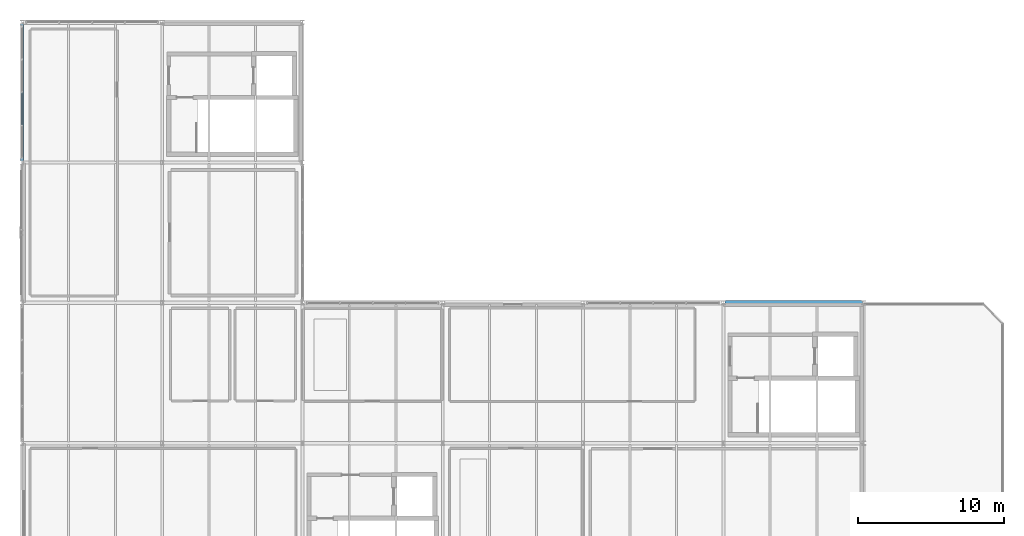
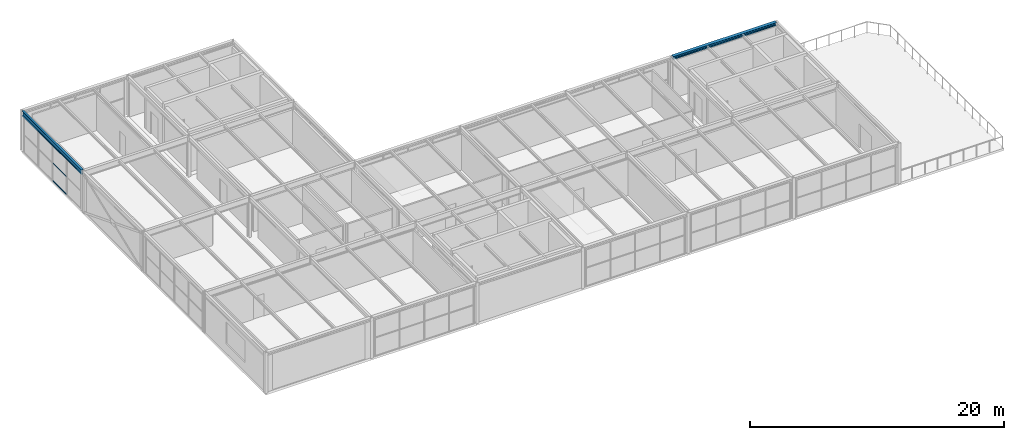
# One storey, part 25 of 33: 3 members, 2 beams, 1 element without a shape of its own.
"""IFC4 building model written with IfcOpenShell, lengths in metres."""

from ifc_helpers import new_model, si_unit, direction, frame, origin, origin_2d, place, context, subcontext, project, spatial, hollow_rectangle, i_section, extrude, material, material_profile, profile_set, type_object, element, aggregate, save


model = new_model("IFC4")

# Units and contexts
model_context = context("Model", 3, precision=1e-05, world=origin(), true_north=direction((0.0, 1.0)))
body_context = subcontext(model_context, "Body", "Model", "MODEL_VIEW")
ifc_project = project(units=[si_unit("LENGTHUNIT", "METRE"), si_unit("AREAUNIT", "SQUARE_METRE"), si_unit("VOLUMEUNIT", "CUBIC_METRE"), si_unit("PLANEANGLEUNIT", "RADIAN"), si_unit("MASSUNIT", "GRAM", prefix="KILO")], contexts=[model_context])

# Site, building, storey
site_placement = place(None, origin())
site = spatial("IfcSite", under=ifc_project, at=site_placement, CompositionType="ELEMENT")
building_placement = place(site_placement, origin())
building = spatial("IfcBuilding", under=site, at=building_placement, Name="Coralgate Yard Interchange", CompositionType="ELEMENT")
storey_placement = place(building_placement, frame((0.0, 0.0, 23.10009765625)))
storey = spatial("IfcBuildingStorey", under=building, at=storey_placement, Name="L05", CompositionType="ELEMENT", Elevation=23.10009765625)

# Beams
ifc_material_1 = material(Name="Structural steel S355J2", Category="steel")
ifc_material_profile_1 = material_profile(ifc_material_1, i_section(OverallWidth=0.1904296875, OverallDepth=0.45703125, WebThickness=0.009033203125, FlangeThickness=0.014404296875, FilletRadius=0.01025390625, at=origin_2d()), Name="UB 457x191x74")
ifc_profile_set_1 = profile_set([ifc_material_profile_1], Name="Structural steel S355J2")
beam_type_1 = type_object("IfcBeamType", Name="BM-SB-2", PredefinedType="BEAM", material=ifc_profile_set_1)
beam_1_placement = place(storey_placement, frame((0.0, 28.900146484375, 3.69140625), z_axis=(0.0, 1.0, 0.0), x_axis=(-1.0, 0.0, 0.0)))
element("IfcBeam", 1, at=beam_1_placement, inside=storey, type_object=beam_type_1, Name="L05 primary grid girder X0 Y3-4", PredefinedType="BEAM", context=body_context, shape_type="SweptSolid", body=[
    extrude(i_section(OverallWidth=0.1904296875, OverallDepth=0.45703125, WebThickness=0.009033203125, FlangeThickness=0.014404296875, FilletRadius=0.01025390625, at=origin_2d()), origin(), (0.0, 0.0, 1.0), 9.399658203125),
])
ifc_material_profile_2 = material_profile(ifc_material_1, i_section(OverallWidth=0.300048828125, OverallDepth=0.2900390625, WebThickness=0.008544921875, FlangeThickness=0.013916015625, FilletRadius=0.027099609375, at=origin_2d()), Name="HEA 300")
ifc_profile_set_2 = profile_set([ifc_material_profile_2], Name="Structural steel S355J2")
beam_type_2 = type_object("IfcBeamType", Name="BM-SP-2", PredefinedType="SPANDREL", material=ifc_profile_set_2)
beam_2_placement = place(storey_placement, frame((48.09814453125, 19.199951171875, 3.77490234375), z_axis=(1.0, 0.0, 0.0), x_axis=(0.0, 1.0, 0.0)))
element("IfcBeam", 2, at=beam_2_placement, inside=storey, type_object=beam_type_2, Name="L05 primary grid beam Y2 X5-6", PredefinedType="SPANDREL", context=body_context, shape_type="SweptSolid", body=[
    extrude(i_section(OverallWidth=0.300048828125, OverallDepth=0.2900390625, WebThickness=0.008544921875, FlangeThickness=0.013916015625, FilletRadius=0.027099609375, at=origin_2d()), origin(), (0.0, 0.0, 1.0), 9.403564453125),
])

# Curtain wall, members
ifc_material_2 = material(Name="Anodised coastal aluminium and solar-control low-E glass", Category="aluminium")
curtain_wall_type = type_object("IfcCurtainWallType", Name="CW-CW-L05-A", PredefinedType="NOTDEFINED", material=ifc_material_2)
curtain_wall_placement = place(storey_placement, origin())
curtain_wall = element("IfcCurtainWall", 3, at=curtain_wall_placement, inside=storey, type_object=curtain_wall_type, Name="L05 unitised curtain wall CW-L05-W-00-03", PredefinedType="NOTDEFINED")
ifc_material_3 = material(Name="Anodised coastal aluminium 6063-T6", Category="aluminium")
ifc_material_profile_3 = material_profile(ifc_material_3, hollow_rectangle(XDim=0.050048828125, YDim=0.10009765625, WallThickness=0.0029296875, InnerFilletRadius=0.0029296875, OuterFilletRadius=0.006103515625, at=origin_2d()), Name="ALU 50x100x3")
ifc_profile_set_3 = profile_set([ifc_material_profile_3], Name="Anodised coastal aluminium 6063-T6")
member_type = type_object("IfcMemberType", Name="MB-TRN-100", PredefinedType="USERDEFINED", material=ifc_profile_set_3)
member_1_placement = place(storey_placement, frame((0.0, 31.3798828125, 0.034912109375), z_axis=(0.0, 1.0, 0.0), x_axis=(-1.0, 0.0, 0.0)))
member_1 = element("IfcMember", 4, at=member_1_placement, type_object=member_type, Name="CW-L05-W-00-03 horizontal transom 2-1", ObjectType="TRANSOM", PredefinedType="USERDEFINED", context=body_context, shape_type="SweptSolid", body=[
    extrude(hollow_rectangle(XDim=0.050048828125, YDim=0.10009765625, WallThickness=0.0029296875, InnerFilletRadius=0.0029296875, OuterFilletRadius=0.006103515625, at=origin_2d()), origin(), (0.0, 0.0, 1.0), 2.190185546875),
])
member_2_placement = place(storey_placement, frame((0.0, 31.3798828125, 1.7314453125), z_axis=(0.0, 1.0, 0.0), x_axis=(-1.0, 0.0, 0.0)))
member_2 = element("IfcMember", 5, at=member_2_placement, type_object=member_type, Name="CW-L05-W-00-03 horizontal transom 2-2", ObjectType="TRANSOM", PredefinedType="USERDEFINED", context=body_context, shape_type="SweptSolid", body=[
    extrude(hollow_rectangle(XDim=0.050048828125, YDim=0.10009765625, WallThickness=0.0029296875, InnerFilletRadius=0.0029296875, OuterFilletRadius=0.006103515625, at=origin_2d()), origin(), (0.0, 0.0, 1.0), 2.190185546875),
])
member_3_placement = place(storey_placement, frame((0.0, 31.3798828125, 3.427978515625), z_axis=(0.0, 1.0, 0.0), x_axis=(-1.0, 0.0, 0.0)))
member_3 = element("IfcMember", 6, at=member_3_placement, type_object=member_type, Name="CW-L05-W-00-03 horizontal transom 2-3", ObjectType="TRANSOM", PredefinedType="USERDEFINED", context=body_context, shape_type="SweptSolid", body=[
    extrude(hollow_rectangle(XDim=0.050048828125, YDim=0.10009765625, WallThickness=0.0029296875, InnerFilletRadius=0.0029296875, OuterFilletRadius=0.006103515625, at=origin_2d()), origin(), (0.0, 0.0, 1.0), 2.190185546875),
])
aggregate(curtain_wall, [member_1, member_2, member_3])

save(model, "model.ifc")
